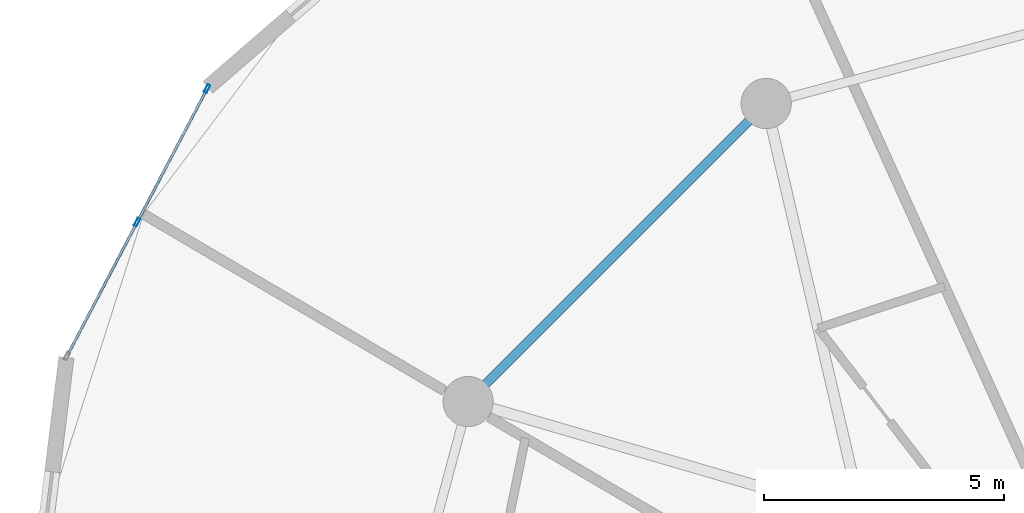
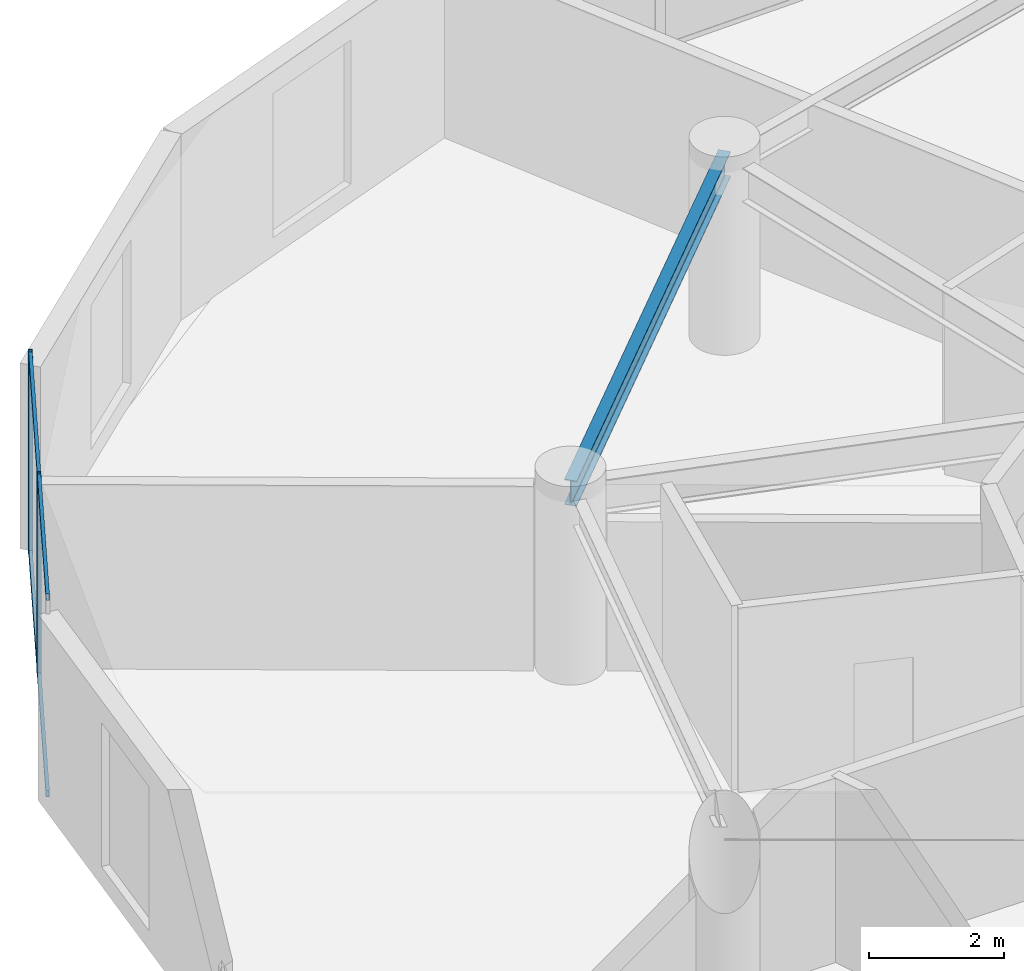
# One storey, part 15 of 25: 6 members, 1 beam, 1 element without a shape of its own.
"""IFC4 building model written with IfcOpenShell, lengths in metres."""

from ifc_helpers import new_model, si_unit, direction, frame, origin, origin_2d, place, context, subcontext, project, spatial, hollow_rectangle, i_section, extrude, source, transform, mapped, material, layer, layer_set, material_profile, profile_set, type_object, element, aggregate, save


model = new_model("IFC4")

# Units and contexts
model_context = context("Model", 3, precision=1e-05, world=origin(), true_north=direction((0.0, 1.0)))
body_context = subcontext(model_context, "Body", "Model", "MODEL_VIEW")
ifc_project = project(units=[si_unit("LENGTHUNIT", "METRE"), si_unit("AREAUNIT", "SQUARE_METRE"), si_unit("VOLUMEUNIT", "CUBIC_METRE"), si_unit("PLANEANGLEUNIT", "RADIAN"), si_unit("MASSUNIT", "GRAM", prefix="KILO")], contexts=[model_context])

# Site, building, storey
site_placement = place(None, origin())
site = spatial("IfcSite", under=ifc_project, at=site_placement, CompositionType="ELEMENT")
building_placement = place(site_placement, origin())
building = spatial("IfcBuilding", under=site, at=building_placement, Name="Solvirekh Grand Hotel", CompositionType="ELEMENT")
storey_placement = place(building_placement, frame((0.0, 0.0, 127.800048828125)))
storey = spatial("IfcBuildingStorey", under=building, at=storey_placement, Name="L32", CompositionType="ELEMENT", Elevation=127.800048828125)

# Beam
ifc_material_1 = material(Name="Steel S355", Category="steel")
ifc_material_profile_1 = material_profile(ifc_material_1, i_section(OverallWidth=0.18994140625, OverallDepth=0.45703125, WebThickness=0.009033203125, FlangeThickness=0.013916015625, FilletRadius=0.012939453125, at=origin_2d()), Name="W460X74")
ifc_profile_set_1 = profile_set([ifc_material_profile_1], Name="Steel S355")
beam_type = type_object("IfcBeamType", Name="Spandrel_Ring_W460", PredefinedType="SPANDREL", material=ifc_profile_set_1)
beam_placement = place(storey_placement, frame((-8.5, 14.721923828125, 3.1220703125), z_axis=(-0.707106781187, -0.707106781187, 0.0), x_axis=(0.707106781187, -0.707106781187, 0.0)))
element("IfcBeam", 1, at=beam_placement, inside=storey, type_object=beam_type, Name="L32 perimeter spandrel beam 5", PredefinedType="SPANDREL", context=body_context, shape_type="SweptSolid", body=[
    extrude(i_section(OverallWidth=0.18994140625, OverallDepth=0.45703125, WebThickness=0.009033203125, FlangeThickness=0.013916015625, FilletRadius=0.012939453125, at=origin_2d()), origin(), (0.0, 0.0, 1.0), 8.799072265625),
])

# Curtain wall, members
ifc_material_2 = material(Name="Anodized Bronze Aluminium 6063-T6", Category="aluminium")
ifc_layer = layer(ifc_material_2, 0.175048828125)
ifc_layer_set = layer_set([ifc_layer], Name="Anodized Bronze Aluminium 6063-T6")
curtain_wall_type = type_object("IfcCurtainWallType", Name="CW_Sys3_MidZoneFlushBronzeCW", PredefinedType="NOTDEFINED", material=ifc_layer_set)
curtain_wall_placement = place(storey_placement, origin())
curtain_wall = element("IfcCurtainWall", 2, at=curtain_wall_placement, inside=storey, type_object=curtain_wall_type, Name="L32 unitised bronze-glass curtain wall CW-L32-C11", PredefinedType="NOTDEFINED")
ifc_material_profile_2 = material_profile(ifc_material_2, hollow_rectangle(XDim=0.06494140625, YDim=0.175048828125, WallThickness=0.0048828125, at=origin_2d()), Name="ALU RHS 175X65X5")
ifc_profile_set_2 = profile_set([ifc_material_profile_2], Name="Anodized Bronze Aluminium 6063-T6")
member_type_1 = type_object("IfcMemberType", Name="CWMullion_Sys3", PredefinedType="MULLION", material=ifc_profile_set_2)
shared_shape_1 = source(origin(), body_context, "Body", "SweptSolid", [
    extrude(hollow_rectangle(XDim=0.06494140625, YDim=0.175048828125, WallThickness=0.0048828125, at=origin_2d()), origin(), (0.0, 0.0, 1.0), 3.599853515625),
])
member_1_placement = place(storey_placement, frame((-20.170166015625, 15.0341796875, 0.0), z_axis=(0.0, 0.0, 1.0), x_axis=(0.885754689083, -0.4641536715, 0.0)))
member_1 = element("IfcMember", 3, at=member_1_placement, type_object=member_type_1, Name="U03 mullion 1", PredefinedType="MULLION", context=body_context, shape_type="MappedRepresentation", body=[
    mapped(shared_shape_1, transform((0.0, 0.0, 0.0), x_axis=(1.0, 0.0, 0.0), y_axis=(0.0, 1.0, 0.0), z_axis=(0.0, 0.0, 1.0), scale=1.0)),
])
member_2_placement = place(storey_placement, frame((-21.633056640625, 12.242431640625, 0.0), z_axis=(0.0, 0.0, 1.0), x_axis=(0.885754689083, -0.4641536715, 0.0)))
member_2 = element("IfcMember", 4, at=member_2_placement, type_object=member_type_1, Name="U03 mullion 2", PredefinedType="MULLION", context=body_context, shape_type="MappedRepresentation", body=[
    mapped(shared_shape_1, transform((0.0, 0.0, 0.0), x_axis=(1.0, 0.0, 0.0), y_axis=(0.0, 1.0, 0.0), z_axis=(0.0, 0.0, 1.0), scale=1.0)),
])
ifc_material_profile_3 = material_profile(ifc_material_2, hollow_rectangle(XDim=0.054931640625, YDim=0.1201171875, WallThickness=0.00390625, at=origin_2d()), Name="ALU RHS 120X55X4")
ifc_profile_set_3 = profile_set([ifc_material_profile_3], Name="Anodized Bronze Aluminium 6063-T6")
member_type_2 = type_object("IfcMemberType", Name="CWTransom_Sys3", PredefinedType="USERDEFINED", material=ifc_profile_set_3)
shared_shape_2 = source(origin(), body_context, "Body", "SweptSolid", [
    extrude(hollow_rectangle(XDim=0.054931640625, YDim=0.1201171875, WallThickness=0.00390625, at=origin_2d()), origin(), (0.0, 0.0, 1.0), 3.0869140625),
])
member_3_placement = place(storey_placement, frame((-20.18505859375, 15.00537109375, 0.02734375), z_axis=(-0.464184306538, -0.885738635018, 0.0), x_axis=(0.885738635018, -0.464184306538, 0.0)))
member_3 = element("IfcMember", 5, at=member_3_placement, type_object=member_type_2, Name="U03 transom 1.1", ObjectType="TRANSOM", PredefinedType="USERDEFINED", context=body_context, shape_type="MappedRepresentation", body=[
    mapped(shared_shape_2, transform((0.0, 0.0, 0.0), x_axis=(1.0, 0.0, 0.0), y_axis=(0.0, 1.0, 0.0), z_axis=(0.0, 0.0, 1.0), scale=1.0)),
])
member_4_placement = place(storey_placement, frame((-20.18505859375, 15.00537109375, 3.572509765625), z_axis=(-0.464184306538, -0.885738635018, 0.0), x_axis=(0.885738635018, -0.464184306538, 0.0)))
member_4 = element("IfcMember", 6, at=member_4_placement, type_object=member_type_2, Name="U03 transom 1.2", ObjectType="TRANSOM", PredefinedType="USERDEFINED", context=body_context, shape_type="MappedRepresentation", body=[
    mapped(shared_shape_2, transform((0.0, 0.0, 0.0), x_axis=(1.0, 0.0, 0.0), y_axis=(0.0, 1.0, 0.0), z_axis=(0.0, 0.0, 1.0), scale=1.0)),
])
shared_shape_3 = source(origin(), body_context, "Body", "SweptSolid", [
    extrude(hollow_rectangle(XDim=0.054931640625, YDim=0.1201171875, WallThickness=0.00390625, at=origin_2d()), origin(), (0.0, 0.0, 1.0), 3.086669921875),
])
member_5_placement = place(storey_placement, frame((-21.648193359375, 12.213623046875, 0.02734375), z_axis=(-0.46412225373, -0.88577115193, 0.0), x_axis=(0.88577115193, -0.46412225373, 0.0)))
member_5 = element("IfcMember", 7, at=member_5_placement, type_object=member_type_2, Name="U03 transom 2.1", ObjectType="TRANSOM", PredefinedType="USERDEFINED", context=body_context, shape_type="MappedRepresentation", body=[
    mapped(shared_shape_3, transform((0.0, 0.0, 0.0), x_axis=(1.0, 0.0, 0.0), y_axis=(0.0, 1.0, 0.0), z_axis=(0.0, 0.0, 1.0), scale=1.0)),
])
member_6_placement = place(storey_placement, frame((-21.648193359375, 12.213623046875, 3.572509765625), z_axis=(-0.46412225373, -0.88577115193, 0.0), x_axis=(0.88577115193, -0.46412225373, 0.0)))
member_6 = element("IfcMember", 8, at=member_6_placement, type_object=member_type_2, Name="U03 transom 2.2", ObjectType="TRANSOM", PredefinedType="USERDEFINED", context=body_context, shape_type="MappedRepresentation", body=[
    mapped(shared_shape_3, transform((0.0, 0.0, 0.0), x_axis=(1.0, 0.0, 0.0), y_axis=(0.0, 1.0, 0.0), z_axis=(0.0, 0.0, 1.0), scale=1.0)),
])
aggregate(curtain_wall, [member_1, member_2, member_3, member_4, member_5, member_6])

save(model, "model.ifc")
